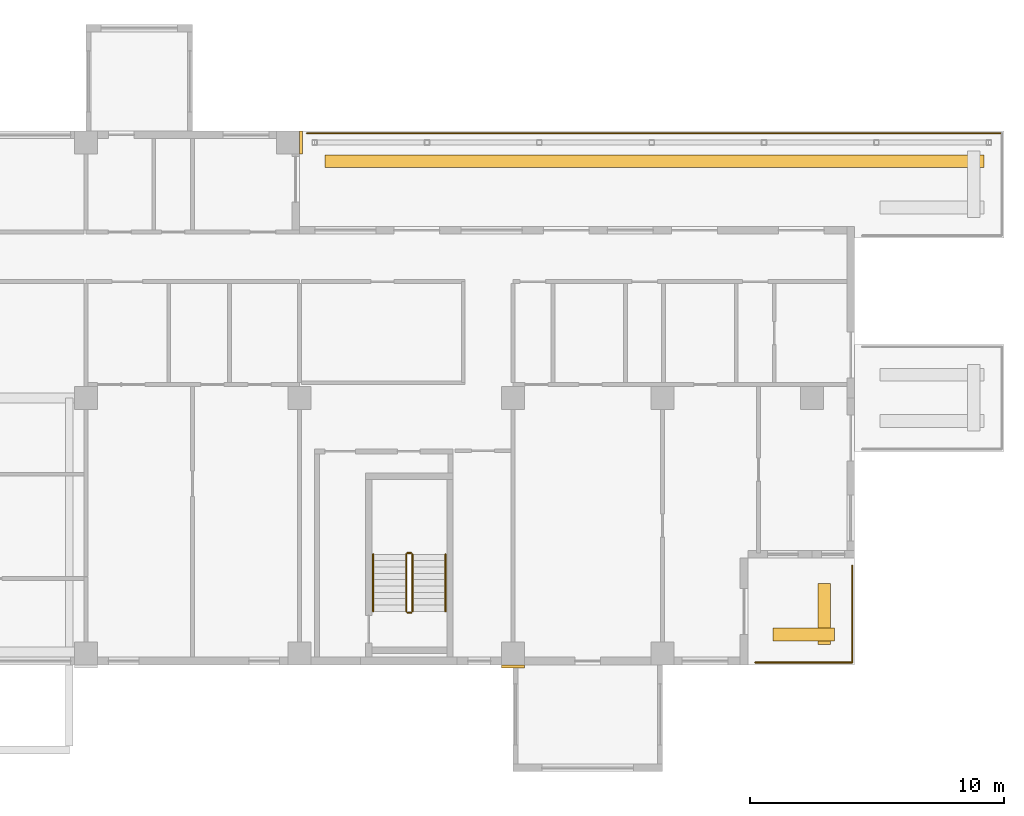
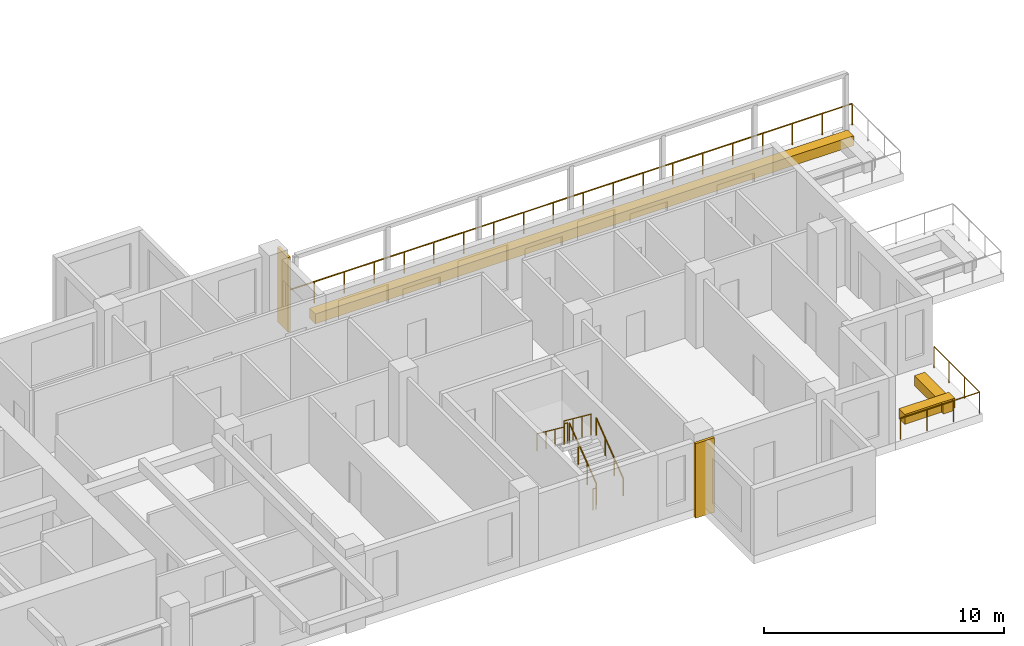
# One storey, part 13 of 15: 9 railings, 5 coverings.
"""IFC4 building model written with IfcOpenShell, lengths in metres."""

from ifc_helpers import new_model, si_unit, direction, frame, origin, origin_2d, place, context, subcontext, project, spatial, rectangle, circle, extrude, source, transform, mapped, material, type_object, element, save


model = new_model("IFC4")

# Units and contexts
model_context = context("Model", 3, precision=1e-05, world=origin(), true_north=direction((0.0, 1.0)))
body_context = subcontext(model_context, "Body", "Model", "MODEL_VIEW")
ifc_project = project(units=[si_unit("LENGTHUNIT", "METRE"), si_unit("AREAUNIT", "SQUARE_METRE"), si_unit("VOLUMEUNIT", "CUBIC_METRE"), si_unit("PLANEANGLEUNIT", "RADIAN"), si_unit("MASSUNIT", "GRAM", prefix="KILO")], contexts=[model_context])

# Site, building, storey
site_placement = place(None, origin())
site = spatial("IfcSite", under=ifc_project, at=site_placement, CompositionType="ELEMENT")
building_placement = place(site_placement, origin())
building = spatial("IfcBuilding", under=site, at=building_placement, Name="Aurelian Terraces", CompositionType="ELEMENT")
storey_placement = place(building_placement, frame((0.0, 0.0, 177.8)))
storey = spatial("IfcBuildingStorey", under=building, at=storey_placement, Name="L38", CompositionType="ELEMENT", Elevation=177.8)

# Railings
ifc_material_1 = material(Name="Anodised aluminium", Category="aluminium")
railing_type_1 = type_object("IfcRailingType", Name="GUARD-1100", PredefinedType="GUARDRAIL", material=ifc_material_1)
railing_1_placement = place(storey_placement, frame((38.1, 20.91, 0.0)))
element("IfcRailing", 1, at=railing_1_placement, inside=storey, type_object=railing_type_1, Name="Terrace guard L38 L38-X1.1", PredefinedType="GUARDRAIL", context=body_context, shape_type="SweptSolid", body=[
    extrude(circle(Radius=0.024, at=origin_2d()), frame((0.0, 0.0, 1.076), z_axis=(1.0, 0.0, 0.0), x_axis=(0.0, 1.0, 0.0)), (0.0, 0.0, 1.0), 27.33),
    extrude(circle(Radius=0.021, at=origin_2d()), origin(), (0.0, 0.0, 1.0), 1.052),
    extrude(circle(Radius=0.021, at=origin_2d()), frame((1.4384, 0.0, 0.0)), (0.0, 0.0, 1.0), 1.052),
    extrude(circle(Radius=0.021, at=origin_2d()), frame((2.8768, 0.0, 0.0)), (0.0, 0.0, 1.0), 1.052),
    extrude(circle(Radius=0.021, at=origin_2d()), frame((4.3153, 0.0, 0.0)), (0.0, 0.0, 1.0), 1.052),
    extrude(circle(Radius=0.021, at=origin_2d()), frame((5.7537, 0.0, 0.0)), (0.0, 0.0, 1.0), 1.052),
    extrude(circle(Radius=0.021, at=origin_2d()), frame((7.1921, 0.0, 0.0)), (0.0, 0.0, 1.0), 1.052),
    extrude(circle(Radius=0.021, at=origin_2d()), frame((8.6305, 0.0, 0.0)), (0.0, 0.0, 1.0), 1.052),
    extrude(circle(Radius=0.021, at=origin_2d()), frame((10.0689, 0.0, 0.0)), (0.0, 0.0, 1.0), 1.052),
    extrude(circle(Radius=0.021, at=origin_2d()), frame((11.5074, 0.0, 0.0)), (0.0, 0.0, 1.0), 1.052),
    extrude(circle(Radius=0.021, at=origin_2d()), frame((12.9458, 0.0, 0.0)), (0.0, 0.0, 1.0), 1.052),
    extrude(circle(Radius=0.021, at=origin_2d()), frame((14.3842, 0.0, 0.0)), (0.0, 0.0, 1.0), 1.052),
    extrude(circle(Radius=0.021, at=origin_2d()), frame((15.8226, 0.0, 0.0)), (0.0, 0.0, 1.0), 1.052),
    extrude(circle(Radius=0.021, at=origin_2d()), frame((17.2611, 0.0, 0.0)), (0.0, 0.0, 1.0), 1.052),
    extrude(circle(Radius=0.021, at=origin_2d()), frame((18.6995, 0.0, 0.0)), (0.0, 0.0, 1.0), 1.052),
    extrude(circle(Radius=0.021, at=origin_2d()), frame((20.1379, 0.0, 0.0)), (0.0, 0.0, 1.0), 1.052),
    extrude(circle(Radius=0.021, at=origin_2d()), frame((21.5763, 0.0, 0.0)), (0.0, 0.0, 1.0), 1.052),
    extrude(circle(Radius=0.021, at=origin_2d()), frame((23.0147, 0.0, 0.0)), (0.0, 0.0, 1.0), 1.052),
    extrude(circle(Radius=0.021, at=origin_2d()), frame((24.4532, 0.0, 0.0)), (0.0, 0.0, 1.0), 1.052),
    extrude(circle(Radius=0.021, at=origin_2d()), frame((25.8916, 0.0, 0.0)), (0.0, 0.0, 1.0), 1.052),
    extrude(circle(Radius=0.021, at=origin_2d()), frame((27.33, 0.0, 0.0)), (0.0, 0.0, 1.0), 1.052),
])
railing_2_placement = place(storey_placement, frame((59.55, 0.09, 0.0)))
element("IfcRailing", 2, at=railing_2_placement, inside=storey, type_object=railing_type_1, Name="Terrace guard L38 L38-X3.2", PredefinedType="GUARDRAIL", context=body_context, shape_type="SweptSolid", body=[
    extrude(circle(Radius=0.024, at=origin_2d()), frame((0.0, 0.0, 1.076), z_axis=(-1.0, 0.0, 0.0), x_axis=(0.0, -1.0, 0.0)), (0.0, 0.0, 1.0), 3.81),
    extrude(circle(Radius=0.021, at=origin_2d()), origin(), (0.0, 0.0, 1.0), 1.052),
    extrude(circle(Radius=0.021, at=origin_2d()), frame((-1.27, 0.0, 0.0)), (0.0, 0.0, 1.0), 1.052),
    extrude(circle(Radius=0.021, at=origin_2d()), frame((-2.54, 0.0, 0.0)), (0.0, 0.0, 1.0), 1.052),
    extrude(circle(Radius=0.021, at=origin_2d()), frame((-3.81, 0.0, 0.0)), (0.0, 0.0, 1.0), 1.052),
])

# Coverings
ifc_material_2 = material(Name="Terracotta planter with planting soil", Category="masonry")
covering_type_1 = type_object("IfcCoveringType", Name="PLANTER-TROUGH", PredefinedType="USERDEFINED", material=ifc_material_2)
covering_1_placement = place(storey_placement, frame((51.765, 19.81, 0.0), z_axis=(0.0, 0.0, 1.0), x_axis=(1.0, 0.0, 0.0)))
element("IfcCovering", 3, at=covering_1_placement, inside=storey, type_object=covering_type_1, Name="PLANTER L38 terrace L38-X1-0.1", ObjectType="PLANTER", PredefinedType="USERDEFINED", context=body_context, shape_type="SweptSolid", body=[
    extrude(rectangle(XDim=25.93, YDim=0.5, at=origin_2d()), origin(), (0.0, 0.0, 1.0), 0.5),
])
ifc_material_3 = material(Name="Terracotta rainscreen cladding relief", Category="masonry")
covering_type_2 = type_object("IfcCoveringType", Name="BAGUETTE-TC", PredefinedType="CLADDING", material=ifc_material_3)
shared_shape_1 = source(origin(), body_context, "Body", "SweptSolid", [
    extrude(rectangle(XDim=0.9, YDim=0.12, at=origin_2d()), origin(), (0.0, 0.0, 1.0), 3.8),
])
covering_2_placement = place(storey_placement, frame((46.2, -0.06, -0.4), z_axis=(0.0, 0.0, 1.0), x_axis=(1.0, 0.0, 0.0)))
element("IfcCovering", 4, at=covering_2_placement, inside=storey, type_object=covering_type_2, Name="BAGUETTE pier L38 3", PredefinedType="CLADDING", context=body_context, shape_type="MappedRepresentation", body=[
    mapped(shared_shape_1, transform((0.0, 0.0, 0.0), scale=1.0)),
])
shared_shape_2 = source(origin(), body_context, "Body", "SweptSolid", [
    extrude(rectangle(XDim=0.12, YDim=0.9, at=origin_2d()), origin(), (0.0, 0.0, 1.0), 3.8),
])
covering_3_placement = place(storey_placement, frame((37.86, 20.55, -0.4), z_axis=(0.0, 0.0, 1.0), x_axis=(1.0, 0.0, 0.0)))
element("IfcCovering", 5, at=covering_3_placement, inside=storey, type_object=covering_type_2, Name="BAGUETTE pier L38 6", PredefinedType="CLADDING", context=body_context, shape_type="MappedRepresentation", body=[
    mapped(shared_shape_2, transform((0.0, 0.0, 0.0), scale=1.0)),
])

# Railing
shared_shape_3 = source(origin(), body_context, "Body", "SweptSolid", [
    extrude(circle(Radius=0.024, at=origin_2d()), frame((0.0, 0.0, 1.076), z_axis=(0.0, -1.0, 0.0), x_axis=(1.0, 0.0, 0.0)), (0.0, 0.0, 1.0), 3.81),
    extrude(circle(Radius=0.021, at=origin_2d()), origin(), (0.0, 0.0, 1.0), 1.052),
    extrude(circle(Radius=0.021, at=origin_2d()), frame((0.0, -1.27, 0.0)), (0.0, 0.0, 1.0), 1.052),
    extrude(circle(Radius=0.021, at=origin_2d()), frame((0.0, -2.54, 0.0)), (0.0, 0.0, 1.0), 1.052),
    extrude(circle(Radius=0.021, at=origin_2d()), frame((0.0, -3.81, 0.0)), (0.0, 0.0, 1.0), 1.052),
])
railing_3_placement = place(storey_placement, frame((59.55, 3.9, 0.0)))
element("IfcRailing", 6, at=railing_3_placement, inside=storey, type_object=railing_type_1, Name="Terrace guard L38 L38-X3.1", PredefinedType="GUARDRAIL", context=body_context, shape_type="MappedRepresentation", body=[
    mapped(shared_shape_3, transform((0.0, 0.0, 0.0), scale=1.0)),
])

# Coverings
shared_shape_4 = source(origin(), body_context, "Body", "SweptSolid", [
    extrude(rectangle(XDim=0.5, YDim=2.41, at=origin_2d()), origin(), (0.0, 0.0, 1.0), 0.5),
])
covering_4_placement = place(storey_placement, frame((58.45, 1.995, 0.0), z_axis=(0.0, 0.0, 1.0), x_axis=(1.0, 0.0, 0.0)))
element("IfcCovering", 7, at=covering_4_placement, inside=storey, type_object=covering_type_1, Name="PLANTER L38 terrace L38-X3-0.1", ObjectType="PLANTER", PredefinedType="USERDEFINED", context=body_context, shape_type="MappedRepresentation", body=[
    mapped(shared_shape_4, transform((0.0, 0.0, 0.0), scale=1.0)),
])
shared_shape_5 = source(origin(), body_context, "Body", "SweptSolid", [
    extrude(rectangle(XDim=2.41, YDim=0.5, at=origin_2d()), origin(), (0.0, 0.0, 1.0), 0.5),
])
covering_5_placement = place(storey_placement, frame((57.645, 1.19, 0.0), z_axis=(0.0, 0.0, 1.0), x_axis=(1.0, 0.0, 0.0)))
element("IfcCovering", 8, at=covering_5_placement, inside=storey, type_object=covering_type_1, Name="PLANTER L38 terrace L38-X3-1.1", ObjectType="PLANTER", PredefinedType="USERDEFINED", context=body_context, shape_type="MappedRepresentation", body=[
    mapped(shared_shape_5, transform((0.0, 0.0, 0.0), scale=1.0)),
])

# Railings
ifc_material_4 = material(Name="Stainless steel", Category="steel")
railing_type_2 = type_object("IfcRailingType", Name="Stair guard 1100", PredefinedType="GUARDRAIL", material=ifc_material_4)
shared_shape_6 = source(origin(), body_context, "Body", "SweptSolid", [
    extrude(circle(Radius=0.024, at=origin_2d()), frame((0.0, 0.0, 1.076), z_axis=(-1.0, 0.0, 0.0), x_axis=(0.0, -1.0, 0.0)), (0.0, 0.0, 1.0), 0.15),
    extrude(circle(Radius=0.021, at=origin_2d()), origin(), (0.0, 0.0, 1.0), 1.052),
    extrude(circle(Radius=0.021, at=origin_2d()), frame((-0.15, 0.0, 0.0)), (0.0, 0.0, 1.0), 1.052),
])
for number, where, name in (
    (9, (42.2, 4.4, 1.9), "L38 S2 stair guard 2"),
    (10, (42.2, 2.05, 0.0), "L38 S2 stair guard 4"),
):
    element("IfcRailing", number, at=place(storey_placement, frame(where)), inside=storey, type_object=railing_type_2, Name=name, PredefinedType="GUARDRAIL", context=body_context, shape_type="MappedRepresentation", body=[
        mapped(shared_shape_6, transform((0.0, 0.0, 0.0), scale=1.0)),
    ])
shared_shape_7 = source(origin(), body_context, "Body", "SweptSolid", [
    extrude(circle(Radius=0.024, at=origin_2d()), frame((0.0, 0.0, 1.076), z_axis=(0.0, 0.796162194123, 0.605083267534), x_axis=(-1.0, 0.0, 0.0)), (0.0, 0.0, 1.0), 2.8261),
    extrude(circle(Radius=0.021, at=origin_2d()), origin(), (0.0, 0.0, 1.0), 1.052),
    extrude(circle(Radius=0.021, at=origin_2d()), frame((0.0, 0.75, 0.57)), (0.0, 0.0, 1.0), 1.052),
    extrude(circle(Radius=0.021, at=origin_2d()), frame((0.0, 1.5, 1.14)), (0.0, 0.0, 1.0), 1.052),
    extrude(circle(Radius=0.021, at=origin_2d()), frame((0.0, 2.25, 1.71)), (0.0, 0.0, 1.0), 1.052),
])
railing_4_placement = place(storey_placement, frame((42.25, 2.1, 0.19)))
element("IfcRailing", 11, at=railing_4_placement, inside=storey, type_object=railing_type_2, Name="L38 S2 stair guard 1", PredefinedType="GUARDRAIL", context=body_context, shape_type="MappedRepresentation", body=[
    mapped(shared_shape_7, transform((0.0, 0.0, 0.0), scale=1.0)),
])
shared_shape_8 = source(origin(), body_context, "Body", "SweptSolid", [
    extrude(circle(Radius=0.024, at=origin_2d()), frame((0.0, 0.0, 1.076), z_axis=(0.0, -0.796162194123, 0.605083267534), x_axis=(1.0, 0.0, 0.0)), (0.0, 0.0, 1.0), 2.8261),
    extrude(circle(Radius=0.021, at=origin_2d()), origin(), (0.0, 0.0, 1.0), 1.052),
    extrude(circle(Radius=0.021, at=origin_2d()), frame((0.0, -0.75, 0.57)), (0.0, 0.0, 1.0), 1.052),
    extrude(circle(Radius=0.021, at=origin_2d()), frame((0.0, -1.5, 1.14)), (0.0, 0.0, 1.0), 1.052),
    extrude(circle(Radius=0.021, at=origin_2d()), frame((0.0, -2.25, 1.71)), (0.0, 0.0, 1.0), 1.052),
])
railing_5_placement = place(storey_placement, frame((42.0, 4.35, 2.09)))
element("IfcRailing", 12, at=railing_5_placement, inside=storey, type_object=railing_type_2, Name="L38 S2 stair guard 3", PredefinedType="GUARDRAIL", context=body_context, shape_type="MappedRepresentation", body=[
    mapped(shared_shape_8, transform((0.0, 0.0, 0.0), scale=1.0)),
])
railing_type_3 = type_object("IfcRailingType", Name="Stair handrail", PredefinedType="HANDRAIL", material=ifc_material_4)
shared_shape_9 = source(origin(), body_context, "Body", "SweptSolid", [
    extrude(circle(Radius=0.024, at=origin_2d()), frame((0.0, 0.0, 0.876), z_axis=(0.0, 0.796162194123, 0.605083267534), x_axis=(-1.0, 0.0, 0.0)), (0.0, 0.0, 1.0), 2.8261),
    extrude(circle(Radius=0.021, at=origin_2d()), origin(), (0.0, 0.0, 1.0), 0.852),
    extrude(circle(Radius=0.021, at=origin_2d()), frame((0.0, 0.75, 0.57)), (0.0, 0.0, 1.0), 0.852),
    extrude(circle(Radius=0.021, at=origin_2d()), frame((0.0, 1.5, 1.14)), (0.0, 0.0, 1.0), 0.852),
    extrude(circle(Radius=0.021, at=origin_2d()), frame((0.0, 2.25, 1.71)), (0.0, 0.0, 1.0), 0.852),
])
railing_6_placement = place(storey_placement, frame((43.55, 2.1, 0.19)))
element("IfcRailing", 13, at=railing_6_placement, inside=storey, type_object=railing_type_3, Name="L38 S2 stair handrail 1", PredefinedType="HANDRAIL", context=body_context, shape_type="MappedRepresentation", body=[
    mapped(shared_shape_9, transform((0.0, 0.0, 0.0), scale=1.0)),
])
shared_shape_10 = source(origin(), body_context, "Body", "SweptSolid", [
    extrude(circle(Radius=0.024, at=origin_2d()), frame((0.0, 0.0, 0.876), z_axis=(0.0, -0.796162194123, 0.605083267534), x_axis=(1.0, 0.0, 0.0)), (0.0, 0.0, 1.0), 2.8261),
    extrude(circle(Radius=0.021, at=origin_2d()), origin(), (0.0, 0.0, 1.0), 0.852),
    extrude(circle(Radius=0.021, at=origin_2d()), frame((0.0, -0.75, 0.57)), (0.0, 0.0, 1.0), 0.852),
    extrude(circle(Radius=0.021, at=origin_2d()), frame((0.0, -1.5, 1.14)), (0.0, 0.0, 1.0), 0.852),
    extrude(circle(Radius=0.021, at=origin_2d()), frame((0.0, -2.25, 1.71)), (0.0, 0.0, 1.0), 0.852),
])
railing_7_placement = place(storey_placement, frame((40.7, 4.35, 2.09)))
element("IfcRailing", 14, at=railing_7_placement, inside=storey, type_object=railing_type_3, Name="L38 S2 stair handrail 2", PredefinedType="HANDRAIL", context=body_context, shape_type="MappedRepresentation", body=[
    mapped(shared_shape_10, transform((0.0, 0.0, 0.0), scale=1.0)),
])

save(model, "model.ifc")
